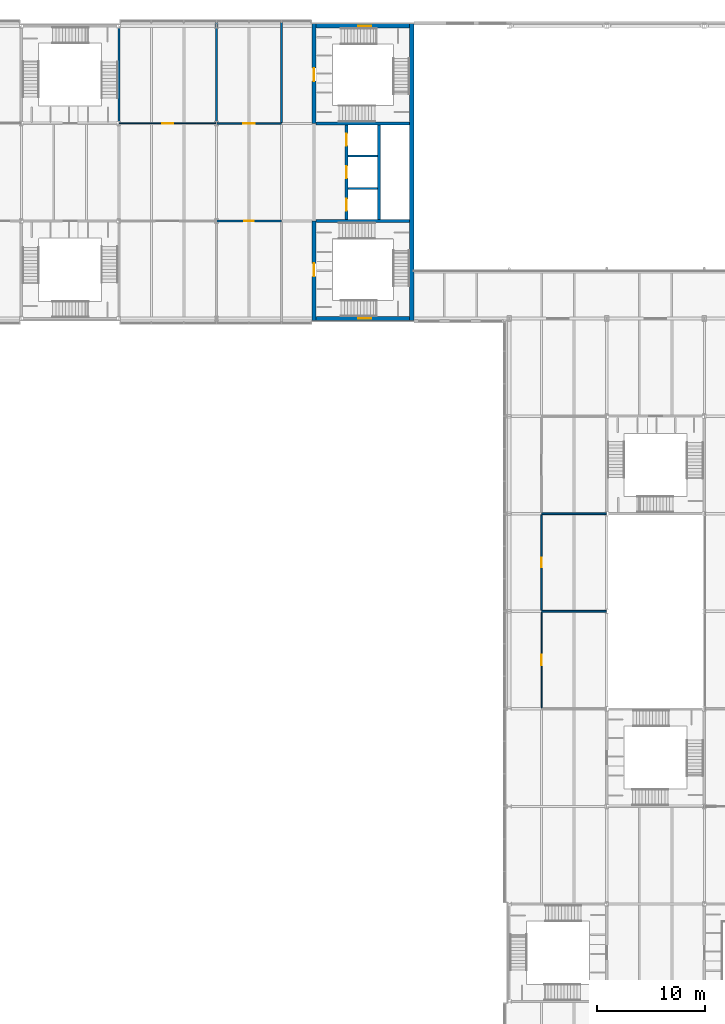
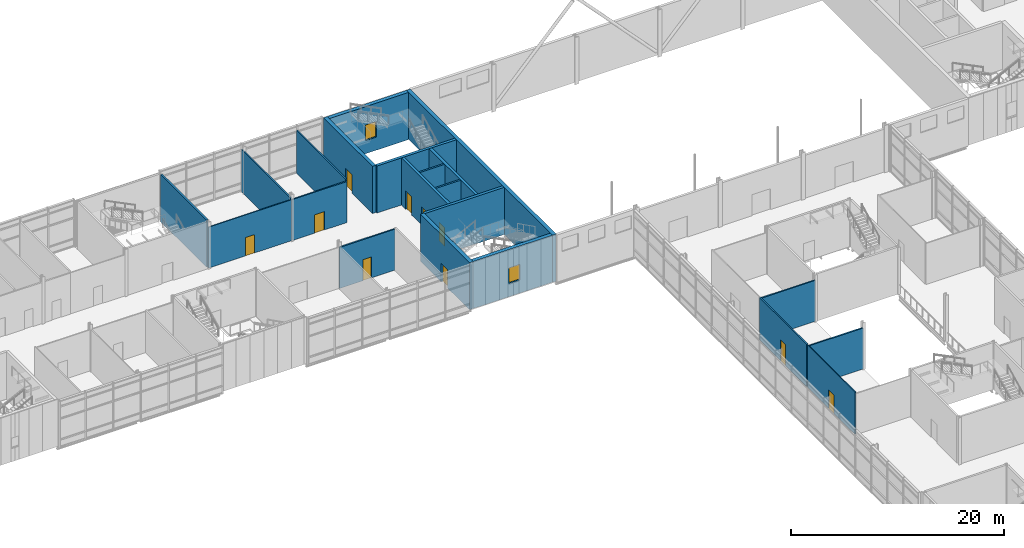
# One storey, part 40 of 56: 21 walls, 10 doors, 2 windows, 12 openings.
"""IFC4 building model written with IfcOpenShell, lengths in metres."""

from ifc_helpers import new_model, si_unit, direction, frame, frame_2d, origin, place, context, subcontext, project, spatial, rectangle, extrude, material, layer, layer_set, type_object, element, fill, save


model = new_model("IFC4")

# Units and contexts
model_context = context("Model", 3, precision=1e-05, world=origin(), true_north=direction((0.0, 1.0)))
body_context = subcontext(model_context, "Body", "Model", "MODEL_VIEW")
ifc_project = project(units=[si_unit("LENGTHUNIT", "METRE"), si_unit("AREAUNIT", "SQUARE_METRE"), si_unit("VOLUMEUNIT", "CUBIC_METRE"), si_unit("PLANEANGLEUNIT", "RADIAN"), si_unit("MASSUNIT", "GRAM", prefix="KILO")], contexts=[model_context])

# Site, building, storey
site_placement = place(None, origin())
site = spatial("IfcSite", under=ifc_project, at=site_placement, CompositionType="ELEMENT")
building_placement = place(site_placement, origin())
building = spatial("IfcBuilding", under=site, at=building_placement, Name="Azimuth Sports and Learning Centre", CompositionType="ELEMENT")
storey_placement = place(building_placement, frame((0.0, 0.0, 5.39990234375)))
storey = spatial("IfcBuildingStorey", under=building, at=storey_placement, Name="L01", CompositionType="ELEMENT", Elevation=5.39990234375)

# Walls
ifc_material_1 = material(Name="Dense masonry blockwork", Category="masonry")
ifc_layer_1 = layer(ifc_material_1, 0.199951171875)
ifc_layer_set_1 = layer_set([ifc_layer_1], Name="Dense masonry blockwork")
wall_type_1 = type_object("IfcWallType", Name="Blockwork wall 200 EI 120", PredefinedType="SOLIDWALL", material=ifc_layer_set_1)
for number, where, z_axis, x_axis, name in (
    (1, (57.14990234375, 102.0, 0.0), (0.0, 0.0, 1.0), (1.0, 0.0, 0.0), "SD-W-1-L01"),
    (2, (57.14990234375, 105.0, 0.0), (0.0, 0.0, 1.0), (1.0, 0.0, 0.0), "SD-W-2-L01"),
):
    element("IfcWall", number, at=place(storey_placement, frame(where, z_axis=z_axis, x_axis=x_axis)), inside=storey, type_object=wall_type_1, Name=name, PredefinedType="SOLIDWALL", context=body_context, shape_type="SweptSolid", body=[
        extrude(rectangle(XDim=2.7001953125, YDim=0.199951171875, at=frame_2d((1.35009765625, 0.0))), origin(), (0.0, 0.0, 1.0), 5.400146484375),
    ])

# Wall, opening, door
ifc_material_2 = material(Name="Gypsum board on steel studs", Category="steel")
ifc_layer_2 = layer(ifc_material_2, 0.10009765625)
ifc_layer_set_2 = layer_set([ifc_layer_2], Name="Gypsum board on steel studs")
wall_type_2 = type_object("IfcWallType", Name="Partition 100 EI 30", PredefinedType="PARTITIONING", material=ifc_layer_set_2)
wall_1_placement = place(storey_placement, frame((36.0, 108.0, 0.0), z_axis=(0.0, 0.0, 1.0), x_axis=(1.0, 0.0, 0.0)))
wall_1 = element("IfcWall", 3, at=wall_1_placement, inside=storey, type_object=wall_type_2, Name="Partition 100 EI 30", PredefinedType="PARTITIONING", context=body_context, shape_type="SweptSolid", body=[
    extrude(rectangle(XDim=9.0, YDim=0.10009765625, at=frame_2d((4.5, 0.0))), origin(), (0.0, 0.0, 1.0), 4.7001953125),
])
opening_1_placement = place(wall_1_placement, frame((4.0, 0.0, 0.0)))
opening_1 = element("IfcOpeningElement", 4, at=opening_1_placement, cuts=wall_1, Name="Opening D01-043", PredefinedType="OPENING", context=body_context, shape_type="SweptSolid", body=[
    extrude(rectangle(XDim=1.0, YDim=2.10009765625, at=frame_2d((0.5, 1.050048828125))), frame((0.0, 0.06103515625, 0.0), z_axis=(0.0, -1.0, 0.0), x_axis=(1.0, 0.0, 0.0)), (0.0, 0.0, 1.0), 0.1220703125),
])
ifc_material_3 = material(Name="Timber fire door set", Category="wood")
door_type_1 = type_object("IfcDoorType", Name="Timber door single 1000x2100 FD30S", OperationType="NOTDEFINED", PredefinedType="DOOR", material=ifc_material_3)
door_1_placement = place(opening_1_placement, origin())
door_1 = element("IfcDoor", 5, at=door_1_placement, inside=storey, type_object=door_type_1, Name="Door D01-043", OperationType="SINGLE_SWING_LEFT", OverallHeight=2.10009765625, OverallWidth=1.0, PredefinedType="DOOR", context=body_context, shape_type="SweptSolid", body=[
    extrude(rectangle(XDim=1.0, YDim=2.10009765625, at=frame_2d((0.5, 1.050048828125))), frame((0.0, 0.02490234375, 0.0), z_axis=(0.0, -1.0, 0.0), x_axis=(1.0, 0.0, 0.0)), (0.0, 0.0, 1.0), 0.050048828125),
])
fill(opening_1, door_1)

wall_2_placement = place(storey_placement, frame((75.0, 54.050048828125, 0.0), z_axis=(0.0, 0.0, 1.0), x_axis=(0.0, 1.0, 0.0)))
wall_2 = element("IfcWall", 6, at=wall_2_placement, inside=storey, type_object=wall_type_2, Name="Partition 100 EI 30", PredefinedType="PARTITIONING", context=body_context, shape_type="SweptSolid", body=[
    extrude(rectangle(XDim=8.875, YDim=0.10009765625, at=frame_2d((4.4375, 0.0))), origin(), (0.0, 0.0, 1.0), 4.85009765625),
])
opening_2_placement = place(wall_2_placement, frame((3.949951171875, 0.0, 0.0)))
opening_2 = element("IfcOpeningElement", 7, at=opening_2_placement, cuts=wall_2, Name="Opening D01-061", PredefinedType="OPENING", context=body_context, shape_type="SweptSolid", body=[
    extrude(rectangle(XDim=1.0, YDim=2.10009765625, at=frame_2d((0.5, 1.050048828125))), frame((0.0, 0.06103515625, 0.0), z_axis=(0.0, -1.0, 0.0), x_axis=(1.0, 0.0, 0.0)), (0.0, 0.0, 1.0), 0.1220703125),
])
door_2_placement = place(opening_2_placement, frame((1.0, 0.0, 0.0), z_axis=(0.0, 0.0, 1.0), x_axis=(-1.0, 0.0, 0.0)))
door_2 = element("IfcDoor", 8, at=door_2_placement, inside=storey, type_object=door_type_1, Name="Door D01-061", OperationType="SINGLE_SWING_LEFT", OverallHeight=2.10009765625, OverallWidth=1.0, PredefinedType="DOOR", context=body_context, shape_type="SweptSolid", body=[
    extrude(rectangle(XDim=1.0, YDim=2.10009765625, at=frame_2d((0.5, 1.050048828125))), frame((0.0, 0.02490234375, 0.0), z_axis=(0.0, -1.0, 0.0), x_axis=(1.0, 0.0, 0.0)), (0.0, 0.0, 1.0), 0.050048828125),
])
fill(opening_2, door_2)

# Walls
ifc_material_4 = material(Name="Lightweight blockwork, rendered", Category="masonry")
ifc_layer_3 = layer(ifc_material_4, 0.14990234375)
ifc_layer_set_3 = layer_set([ifc_layer_3], Name="Lightweight blockwork, rendered")
wall_type_3 = type_object("IfcWallType", Name="Partition 150 EI 60", PredefinedType="PARTITIONING", material=ifc_layer_set_3)
for number, where, z_axis, x_axis, name in (
    (9, (75.0, 63.0, 0.0), (0.0, 0.0, 1.0), (1.0, 0.0, 0.0), "Partition 150 EI 60"),
    (10, (75.0, 72.0, 0.0), (0.0, 0.0, 1.0), (1.0, 0.0, 0.0), "Partition 150 EI 60"),
):
    element("IfcWall", number, at=place(storey_placement, frame(where, z_axis=z_axis, x_axis=x_axis)), inside=storey, type_object=wall_type_3, Name=name, PredefinedType="PARTITIONING", context=body_context, shape_type="SweptSolid", body=[
        extrude(rectangle(XDim=6.0, YDim=0.14990234375, at=frame_2d((3.0, 0.0))), origin(), (0.0, 0.0, 1.0), 4.7001953125),
    ])

# Wall, opening, door
wall_3_placement = place(storey_placement, frame((45.0, 99.0, 0.0), z_axis=(0.0, 0.0, 1.0), x_axis=(1.0, 0.0, 0.0)))
wall_3 = element("IfcWall", 11, at=wall_3_placement, inside=storey, type_object=wall_type_3, Name="Partition 150 EI 60", PredefinedType="PARTITIONING", context=body_context, shape_type="SweptSolid", body=[
    extrude(rectangle(XDim=6.0, YDim=0.14990234375, at=frame_2d((3.0, 0.0))), origin(), (0.0, 0.0, 1.0), 4.7001953125),
])
opening_3_placement = place(wall_3_placement, frame((2.550048828125, 0.0, 0.0)))
opening_3 = element("IfcOpeningElement", 12, at=opening_3_placement, cuts=wall_3, Name="Opening D01-038", PredefinedType="OPENING", context=body_context, shape_type="SweptSolid", body=[
    extrude(rectangle(XDim=0.89990234375, YDim=2.39990234375, at=frame_2d((0.449951171875, 1.199951171875))), frame((0.0, 0.0859375, 0.0), z_axis=(0.0, -1.0, 0.0), x_axis=(1.0, 0.0, 0.0)), (0.0, 0.0, 1.0), 0.171875),
])
ifc_material_5 = material(Name="Timber fire door set", Category="wood")
door_type_2 = type_object("IfcDoorType", Name="Timber door single 900x2400 FD60", OperationType="NOTDEFINED", PredefinedType="DOOR", material=ifc_material_5)
door_3_placement = place(opening_3_placement, frame((0.89990234375, 0.0, 0.0), z_axis=(0.0, 0.0, 1.0), x_axis=(-1.0, 0.0, 0.0)))
door_3 = element("IfcDoor", 13, at=door_3_placement, inside=storey, type_object=door_type_2, Name="Door D01-038", OperationType="SINGLE_SWING_RIGHT", OverallHeight=2.39990234375, OverallWidth=0.89990234375, PredefinedType="DOOR", context=body_context, shape_type="SweptSolid", body=[
    extrude(rectangle(XDim=0.89990234375, YDim=2.39990234375, at=frame_2d((0.449951171875, 1.199951171875))), frame((0.0, 0.02490234375, 0.0), z_axis=(0.0, -1.0, 0.0), x_axis=(1.0, 0.0, 0.0)), (0.0, 0.0, 1.0), 0.050048828125),
])
fill(opening_3, door_3)

wall_4_placement = place(storey_placement, frame((45.0, 108.0, 0.0), z_axis=(0.0, 0.0, 1.0), x_axis=(1.0, 0.0, 0.0)))
wall_4 = element("IfcWall", 14, at=wall_4_placement, inside=storey, type_object=wall_type_3, Name="Partition 150 EI 60", PredefinedType="PARTITIONING", context=body_context, shape_type="SweptSolid", body=[
    extrude(rectangle(XDim=6.0, YDim=0.14990234375, at=frame_2d((3.0, 0.0))), origin(), (0.0, 0.0, 1.0), 4.7001953125),
])
opening_4_placement = place(wall_4_placement, frame((2.449951171875, 0.0, 0.0)))
opening_4 = element("IfcOpeningElement", 15, at=opening_4_placement, cuts=wall_4, Name="Opening D01-044", PredefinedType="OPENING", context=body_context, shape_type="SweptSolid", body=[
    extrude(rectangle(XDim=1.10009765625, YDim=2.10009765625, at=frame_2d((0.550048828125, 1.050048828125))), frame((0.0, 0.0859375, 0.0), z_axis=(0.0, -1.0, 0.0), x_axis=(1.0, 0.0, 0.0)), (0.0, 0.0, 1.0), 0.171875),
])
ifc_material_6 = material(Name="Timber fire door set", Category="wood")
door_type_3 = type_object("IfcDoorType", Name="Timber door single 1100x2100 FD60", OperationType="NOTDEFINED", PredefinedType="DOOR", material=ifc_material_6)
door_4_placement = place(opening_4_placement, origin())
door_4 = element("IfcDoor", 16, at=door_4_placement, inside=storey, type_object=door_type_3, Name="Door D01-044", OperationType="SINGLE_SWING_RIGHT", OverallHeight=2.10009765625, OverallWidth=1.10009765625, PredefinedType="DOOR", context=body_context, shape_type="SweptSolid", body=[
    extrude(rectangle(XDim=1.10009765625, YDim=2.10009765625, at=frame_2d((0.550048828125, 1.050048828125))), frame((0.0, 0.02490234375, 0.0), z_axis=(0.0, -1.0, 0.0), x_axis=(1.0, 0.0, 0.0)), (0.0, 0.0, 1.0), 0.050048828125),
])
fill(opening_4, door_4)

# Walls
wall_5_placement = place(storey_placement, frame((45.0, 108.074951171875, 0.0), z_axis=(0.0, 0.0, 1.0), x_axis=(0.0, 1.0, 0.0)))
element("IfcWall", 17, at=wall_5_placement, inside=storey, type_object=wall_type_3, Name="Partition 150 EI 60", PredefinedType="PARTITIONING", context=body_context, shape_type="SweptSolid", body=[
    extrude(rectangle(XDim=9.22509765625, YDim=0.14990234375, at=frame_2d((4.612548828125, 0.0))), origin(), (0.0, 0.0, 1.0), 4.85009765625),
])
wall_6_placement = place(storey_placement, frame((51.0, 108.074951171875, 0.0), z_axis=(0.0, 0.0, 1.0), x_axis=(0.0, 1.0, 0.0)))
element("IfcWall", 18, at=wall_6_placement, inside=storey, type_object=wall_type_3, Name="Partition 150 EI 60", PredefinedType="PARTITIONING", context=body_context, shape_type="SweptSolid", body=[
    extrude(rectangle(XDim=9.22509765625, YDim=0.14990234375, at=frame_2d((4.612548828125, 0.0))), origin(), (0.0, 0.0, 1.0), 4.89013671875),
])

# Wall, opening, door
wall_7_placement = place(storey_placement, frame((75.0, 63.074951171875, 0.0), z_axis=(0.0, 0.0, 1.0), x_axis=(0.0, 1.0, 0.0)))
wall_7 = element("IfcWall", 19, at=wall_7_placement, inside=storey, type_object=wall_type_3, Name="Partition 150 EI 60", PredefinedType="PARTITIONING", context=body_context, shape_type="SweptSolid", body=[
    extrude(rectangle(XDim=8.85009765625, YDim=0.14990234375, at=frame_2d((4.425048828125, 0.0))), origin(), (0.0, 0.0, 1.0), 4.85009765625),
])
opening_5_placement = place(wall_7_placement, frame((3.97509765625, 0.0, 0.0)))
opening_5 = element("IfcOpeningElement", 20, at=opening_5_placement, cuts=wall_7, Name="Opening D01-062", PredefinedType="OPENING", context=body_context, shape_type="SweptSolid", body=[
    extrude(rectangle(XDim=0.89990234375, YDim=2.39990234375, at=frame_2d((0.449951171875, 1.199951171875))), frame((0.0, 0.0859375, 0.0), z_axis=(0.0, -1.0, 0.0), x_axis=(1.0, 0.0, 0.0)), (0.0, 0.0, 1.0), 0.171875),
])
door_5_placement = place(opening_5_placement, frame((0.89990234375, 0.0, 0.0), z_axis=(0.0, 0.0, 1.0), x_axis=(-1.0, 0.0, 0.0)))
door_5 = element("IfcDoor", 21, at=door_5_placement, inside=storey, type_object=door_type_2, Name="Door D01-062", OperationType="SINGLE_SWING_LEFT", OverallHeight=2.39990234375, OverallWidth=0.89990234375, PredefinedType="DOOR", context=body_context, shape_type="SweptSolid", body=[
    extrude(rectangle(XDim=0.89990234375, YDim=2.39990234375, at=frame_2d((0.449951171875, 1.199951171875))), frame((0.0, 0.02490234375, 0.0), z_axis=(0.0, -1.0, 0.0), x_axis=(1.0, 0.0, 0.0)), (0.0, 0.0, 1.0), 0.050048828125),
])
fill(opening_5, door_5)

# Walls
ifc_material_7 = material(Name="Concrete C40/50", Category="concrete")
ifc_layer_4 = layer(ifc_material_7, 0.199951171875)
ifc_layer_set_4 = layer_set([ifc_layer_4], Name="Concrete C40/50")
wall_type_4 = type_object("IfcWallType", Name="RC cell wall 200 EI 120", PredefinedType="SHEAR", material=ifc_layer_set_4)
wall_8_placement = place(storey_placement, frame((36.0, 108.199951171875, 0.0), z_axis=(0.0, 0.0, 1.0), x_axis=(0.0, 1.0, 0.0)))
element("IfcWall", 22, at=wall_8_placement, inside=storey, type_object=wall_type_4, Name="CE-WM2-E-L01", PredefinedType="SHEAR", context=body_context, shape_type="SweptSolid", body=[
    extrude(rectangle(XDim=8.60009765625, YDim=0.199951171875, at=frame_2d((4.300048828125, 0.0))), origin(), (0.0, 0.0, 1.0), 5.400146484375),
])
ifc_material_8 = material(Name="Concrete C40/50", Category="concrete")
ifc_layer_5 = layer(ifc_material_8, 0.300048828125)
ifc_layer_set_5 = layer_set([ifc_layer_5], Name="Concrete C40/50")
wall_type_5 = type_object("IfcWallType", Name="RC core wall 300", PredefinedType="SHEAR", material=ifc_layer_set_5)
for number, where, z_axis, x_axis, name in (
    (23, (54.199951171875, 99.0, 0.0), (0.0, 0.0, 1.0), (1.0, 0.0, 0.0), "Core wall W D1 L01"),
    (24, (54.199951171875, 108.0, 0.0), (0.0, 0.0, 1.0), (1.0, 0.0, 0.0), "Core wall W D2 L01"),
):
    element("IfcWall", number, at=place(storey_placement, frame(where, z_axis=z_axis, x_axis=x_axis)), inside=storey, type_object=wall_type_5, Name=name, PredefinedType="SHEAR", context=body_context, shape_type="SweptSolid", body=[
        extrude(rectangle(XDim=8.60009765625, YDim=0.300048828125, at=frame_2d((4.300048828125, 0.0))), origin(), (0.0, 0.0, 1.0), 5.400146484375),
    ])

# Wall, openings, doors
wall_9_placement = place(storey_placement, frame((57.0, 99.14990234375, 0.0), z_axis=(0.0, 0.0, 1.0), x_axis=(0.0, 1.0, 0.0)))
wall_9 = element("IfcWall", 25, at=wall_9_placement, inside=storey, type_object=wall_type_5, Name="Core wall W LB1 L01", PredefinedType="SHEAR", context=body_context, shape_type="SweptSolid", body=[
    extrude(rectangle(XDim=8.7001953125, YDim=0.300048828125, at=frame_2d((4.35009765625, 0.0))), origin(), (0.0, 0.0, 1.0), 5.400146484375),
])
opening_6_placement = place(wall_9_placement, frame((0.800048828125, 0.0, 0.0)))
opening_6 = element("IfcOpeningElement", 26, at=opening_6_placement, cuts=wall_9, Name="Opening D01-022", PredefinedType="OPENING", context=body_context, shape_type="SweptSolid", body=[
    extrude(rectangle(XDim=1.10009765625, YDim=2.10009765625, at=frame_2d((0.550048828125, 1.050048828125))), frame((0.0, 0.1611328125, 0.0), z_axis=(0.0, -1.0, 0.0), x_axis=(1.0, 0.0, 0.0)), (0.0, 0.0, 1.0), 0.322021484375),
])
opening_7_placement = place(wall_9_placement, frame((3.800048828125, 0.0, 0.0)))
opening_7 = element("IfcOpeningElement", 27, at=opening_7_placement, cuts=wall_9, Name="Opening D01-023", PredefinedType="OPENING", context=body_context, shape_type="SweptSolid", body=[
    extrude(rectangle(XDim=1.10009765625, YDim=2.10009765625, at=frame_2d((0.550048828125, 1.050048828125))), frame((0.0, 0.1611328125, 0.0), z_axis=(0.0, -1.0, 0.0), x_axis=(1.0, 0.0, 0.0)), (0.0, 0.0, 1.0), 0.322021484375),
])
opening_8_placement = place(wall_9_placement, frame((6.800048828125, 0.0, 0.0)))
opening_8 = element("IfcOpeningElement", 28, at=opening_8_placement, cuts=wall_9, Name="Opening D01-024", PredefinedType="OPENING", context=body_context, shape_type="SweptSolid", body=[
    extrude(rectangle(XDim=1.10009765625, YDim=2.10009765625, at=frame_2d((0.550048828125, 1.050048828125))), frame((0.0, 0.1611328125, 0.0), z_axis=(0.0, -1.0, 0.0), x_axis=(1.0, 0.0, 0.0)), (0.0, 0.0, 1.0), 0.322021484375),
])
ifc_material_9 = material(Name="Stainless steel", Category="steel")
door_type_4 = type_object("IfcDoorType", Name="Lift landing door 1100 x 2100", OperationType="DOUBLE_DOOR_SLIDING", PredefinedType="DOOR", material=ifc_material_9)
door_6_placement = place(opening_6_placement, origin())
door_6 = element("IfcDoor", 29, at=door_6_placement, inside=storey, type_object=door_type_4, Name="Landing door LW1 L01", OperationType="DOUBLE_DOOR_SLIDING", OverallHeight=2.10009765625, OverallWidth=1.10009765625, PredefinedType="DOOR", context=body_context, shape_type="SweptSolid", body=[
    extrude(rectangle(XDim=1.10009765625, YDim=2.10009765625, at=frame_2d((0.550048828125, 1.050048828125))), frame((0.0, 0.02490234375, 0.0), z_axis=(0.0, -1.0, 0.0), x_axis=(1.0, 0.0, 0.0)), (0.0, 0.0, 1.0), 0.050048828125),
])
fill(opening_6, door_6)
door_7_placement = place(opening_7_placement, origin())
door_7 = element("IfcDoor", 30, at=door_7_placement, inside=storey, type_object=door_type_4, Name="Landing door LW2 L01", OperationType="DOUBLE_DOOR_SLIDING", OverallHeight=2.10009765625, OverallWidth=1.10009765625, PredefinedType="DOOR", context=body_context, shape_type="SweptSolid", body=[
    extrude(rectangle(XDim=1.10009765625, YDim=2.10009765625, at=frame_2d((0.550048828125, 1.050048828125))), frame((0.0, 0.02490234375, 0.0), z_axis=(0.0, -1.0, 0.0), x_axis=(1.0, 0.0, 0.0)), (0.0, 0.0, 1.0), 0.050048828125),
])
fill(opening_7, door_7)
door_8_placement = place(opening_8_placement, origin())
door_8 = element("IfcDoor", 31, at=door_8_placement, inside=storey, type_object=door_type_4, Name="Landing door LW3 L01", OperationType="DOUBLE_DOOR_SLIDING", OverallHeight=2.10009765625, OverallWidth=1.10009765625, PredefinedType="DOOR", context=body_context, shape_type="SweptSolid", body=[
    extrude(rectangle(XDim=1.10009765625, YDim=2.10009765625, at=frame_2d((0.550048828125, 1.050048828125))), frame((0.0, 0.02490234375, 0.0), z_axis=(0.0, -1.0, 0.0), x_axis=(1.0, 0.0, 0.0)), (0.0, 0.0, 1.0), 0.050048828125),
])
fill(opening_8, door_8)

# Walls
wall_10_placement = place(storey_placement, frame((60.0, 99.14990234375, 0.0), z_axis=(0.0, 0.0, 1.0), x_axis=(0.0, 1.0, 0.0)))
element("IfcWall", 32, at=wall_10_placement, inside=storey, type_object=wall_type_5, Name="Core wall W LB2 L01", PredefinedType="SHEAR", context=body_context, shape_type="SweptSolid", body=[
    extrude(rectangle(XDim=8.7001953125, YDim=0.300048828125, at=frame_2d((4.35009765625, 0.0))), origin(), (0.0, 0.0, 1.0), 5.400146484375),
])
ifc_material_10 = material(Name="Concrete C40/50", Category="concrete")
ifc_layer_6 = layer(ifc_material_10, 0.39990234375)
ifc_layer_set_6 = layer_set([ifc_layer_6], Name="Concrete C40/50")
wall_type_6 = type_object("IfcWallType", Name="RC core wall 400", PredefinedType="SHEAR", material=ifc_layer_set_6)
wall_11_placement = place(storey_placement, frame((63.0, 89.800048828125, 0.0), z_axis=(0.0, 0.0, 1.0), x_axis=(0.0, 1.0, 0.0)))
element("IfcWall", 33, at=wall_11_placement, inside=storey, type_object=wall_type_6, Name="Core wall W E L01", PredefinedType="SHEAR", context=body_context, shape_type="SweptSolid", body=[
    extrude(rectangle(XDim=27.39990234375, YDim=0.39990234375, at=frame_2d((13.699951171875, 0.0))), origin(), (0.0, 0.0, 1.0), 5.400146484375),
])

# Wall, opening, door
wall_12_placement = place(storey_placement, frame((54.0, 89.800048828125, 0.0), z_axis=(0.0, 0.0, 1.0), x_axis=(0.0, 1.0, 0.0)))
wall_12 = element("IfcWall", 34, at=wall_12_placement, inside=storey, type_object=wall_type_6, Name="Core wall W WS L01", PredefinedType="SHEAR", context=body_context, shape_type="SweptSolid", body=[
    extrude(rectangle(XDim=9.199951171875, YDim=0.39990234375, at=frame_2d((4.60009765625, 0.0))), origin(), (0.0, 0.0, 1.0), 5.400146484375),
])
opening_9_placement = place(wall_12_placement, frame((4.10009765625, 0.0, 0.0)))
opening_9 = element("IfcOpeningElement", 35, at=opening_9_placement, cuts=wall_12, Name="Opening D01-002", PredefinedType="OPENING", context=body_context, shape_type="SweptSolid", body=[
    extrude(rectangle(XDim=1.199951171875, YDim=2.10009765625, at=frame_2d((0.60009765625, 1.050048828125))), frame((0.0, 0.2109375, 0.0), z_axis=(0.0, -1.0, 0.0), x_axis=(1.0, 0.0, 0.0)), (0.0, 0.0, 1.0), 0.421875),
])
ifc_material_11 = material(Name="Steel", Category="steel")
door_type_5 = type_object("IfcDoorType", Name="Stair fire door 1200 x 2100", OperationType="NOTDEFINED", PredefinedType="DOOR", material=ifc_material_11)
door_9_placement = place(opening_9_placement, origin())
door_9 = element("IfcDoor", 36, at=door_9_placement, inside=storey, type_object=door_type_5, Name="Stair door W1 L01", OperationType="SINGLE_SWING_RIGHT", OverallHeight=2.10009765625, OverallWidth=1.199951171875, PredefinedType="DOOR", context=body_context, shape_type="SweptSolid", body=[
    extrude(rectangle(XDim=1.199951171875, YDim=2.10009765625, at=frame_2d((0.60009765625, 1.050048828125))), frame((0.0, 0.02490234375, 0.0), z_axis=(0.0, -1.0, 0.0), x_axis=(1.0, 0.0, 0.0)), (0.0, 0.0, 1.0), 0.050048828125),
])
fill(opening_9, door_9)

wall_13_placement = place(storey_placement, frame((54.0, 108.0, 0.0), z_axis=(0.0, 0.0, 1.0), x_axis=(0.0, 1.0, 0.0)))
wall_13 = element("IfcWall", 37, at=wall_13_placement, inside=storey, type_object=wall_type_6, Name="Core wall W WN L01", PredefinedType="SHEAR", context=body_context, shape_type="SweptSolid", body=[
    extrude(rectangle(XDim=9.199951171875, YDim=0.39990234375, at=frame_2d((4.60009765625, 0.0))), origin(), (0.0, 0.0, 1.0), 5.400146484375),
])
opening_10_placement = place(wall_13_placement, frame((3.89990234375, 0.0, 0.0)))
opening_10 = element("IfcOpeningElement", 38, at=opening_10_placement, cuts=wall_13, Name="Opening D01-003", PredefinedType="OPENING", context=body_context, shape_type="SweptSolid", body=[
    extrude(rectangle(XDim=1.199951171875, YDim=2.10009765625, at=frame_2d((0.60009765625, 1.050048828125))), frame((0.0, 0.2109375, 0.0), z_axis=(0.0, -1.0, 0.0), x_axis=(1.0, 0.0, 0.0)), (0.0, 0.0, 1.0), 0.421875),
])
door_10_placement = place(opening_10_placement, origin())
door_10 = element("IfcDoor", 39, at=door_10_placement, inside=storey, type_object=door_type_5, Name="Stair door W2 L01", OperationType="SINGLE_SWING_LEFT", OverallHeight=2.10009765625, OverallWidth=1.199951171875, PredefinedType="DOOR", context=body_context, shape_type="SweptSolid", body=[
    extrude(rectangle(XDim=1.199951171875, YDim=2.10009765625, at=frame_2d((0.60009765625, 1.050048828125))), frame((0.0, 0.02490234375, 0.0), z_axis=(0.0, -1.0, 0.0), x_axis=(1.0, 0.0, 0.0)), (0.0, 0.0, 1.0), 0.050048828125),
])
fill(opening_10, door_10)

# Wall, opening, window
ifc_material_12 = material(Name="Concrete C40/50", Category="concrete")
ifc_layer_7 = layer(ifc_material_12, 0.39990234375)
ifc_layer_set_7 = layer_set([ifc_layer_7], Name="Concrete C40/50")
wall_type_7 = type_object("IfcWallType", Name="RC external core wall 400", PredefinedType="SHEAR", material=ifc_layer_set_7)
wall_14_placement = place(storey_placement, frame((54.199951171875, 90.0, 0.0), z_axis=(0.0, 0.0, 1.0), x_axis=(1.0, 0.0, 0.0)))
wall_14 = element("IfcWall", 40, at=wall_14_placement, inside=storey, type_object=wall_type_7, Name="Core wall W S L01", PredefinedType="SHEAR", context=body_context, shape_type="SweptSolid", body=[
    extrude(rectangle(XDim=8.60009765625, YDim=0.39990234375, at=frame_2d((4.300048828125, 0.0))), origin(), (0.0, 0.0, 1.0), 5.400146484375),
])
opening_11_placement = place(wall_14_placement, frame((3.89990234375, 0.0, 1.5)))
opening_11 = element("IfcOpeningElement", 41, at=opening_11_placement, cuts=wall_14, Name="Opening W01-002", PredefinedType="OPENING", context=body_context, shape_type="SweptSolid", body=[
    extrude(rectangle(XDim=1.199951171875, YDim=1.800048828125, at=frame_2d((0.60009765625, 0.89990234375))), frame((0.0, 0.2109375, 0.0), z_axis=(0.0, -1.0, 0.0), x_axis=(1.0, 0.0, 0.0)), (0.0, 0.0, 1.0), 0.421875),
])
ifc_material_13 = material(Name="Aluminium and glass", Category="aluminium")
window_type = type_object("IfcWindowType", Name="Stair window podium core 1200x1800", PartitioningType="SINGLE_PANEL", PredefinedType="WINDOW", material=ifc_material_13)
window_1_placement = place(opening_11_placement, origin())
window_1 = element("IfcWindow", 42, at=window_1_placement, inside=storey, type_object=window_type, Name="Window W01-002", OverallHeight=1.800048828125, OverallWidth=1.199951171875, PartitioningType="SINGLE_PANEL", PredefinedType="WINDOW", context=body_context, shape_type="SweptSolid", body=[
    extrude(rectangle(XDim=1.199951171875, YDim=1.800048828125, at=frame_2d((0.60009765625, 0.89990234375))), frame((0.0, 0.030029296875, 0.0), z_axis=(0.0, -1.0, 0.0), x_axis=(1.0, 0.0, 0.0)), (0.0, 0.0, 1.0), 0.06005859375),
])
fill(opening_11, window_1)

wall_15_placement = place(storey_placement, frame((54.199951171875, 117.0, 0.0), z_axis=(0.0, 0.0, 1.0), x_axis=(1.0, 0.0, 0.0)))
wall_15 = element("IfcWall", 43, at=wall_15_placement, inside=storey, type_object=wall_type_7, Name="Core wall W N L01", PredefinedType="SHEAR", context=body_context, shape_type="SweptSolid", body=[
    extrude(rectangle(XDim=8.60009765625, YDim=0.39990234375, at=frame_2d((4.300048828125, 0.0))), origin(), (0.0, 0.0, 1.0), 5.400146484375),
])
opening_12_placement = place(wall_15_placement, frame((3.89990234375, 0.0, 1.5)))
opening_12 = element("IfcOpeningElement", 44, at=opening_12_placement, cuts=wall_15, Name="Opening W01-017", PredefinedType="OPENING", context=body_context, shape_type="SweptSolid", body=[
    extrude(rectangle(XDim=1.199951171875, YDim=1.800048828125, at=frame_2d((0.60009765625, 0.89990234375))), frame((0.0, 0.2109375, 0.0), z_axis=(0.0, -1.0, 0.0), x_axis=(1.0, 0.0, 0.0)), (0.0, 0.0, 1.0), 0.421875),
])
window_2_placement = place(opening_12_placement, origin())
window_2 = element("IfcWindow", 45, at=window_2_placement, inside=storey, type_object=window_type, Name="Window W01-017", OverallHeight=1.800048828125, OverallWidth=1.199951171875, PartitioningType="SINGLE_PANEL", PredefinedType="WINDOW", context=body_context, shape_type="SweptSolid", body=[
    extrude(rectangle(XDim=1.199951171875, YDim=1.800048828125, at=frame_2d((0.60009765625, 0.89990234375))), frame((0.0, 0.030029296875, 0.0), z_axis=(0.0, -1.0, 0.0), x_axis=(1.0, 0.0, 0.0)), (0.0, 0.0, 1.0), 0.06005859375),
])
fill(opening_12, window_2)

save(model, "model.ifc")
